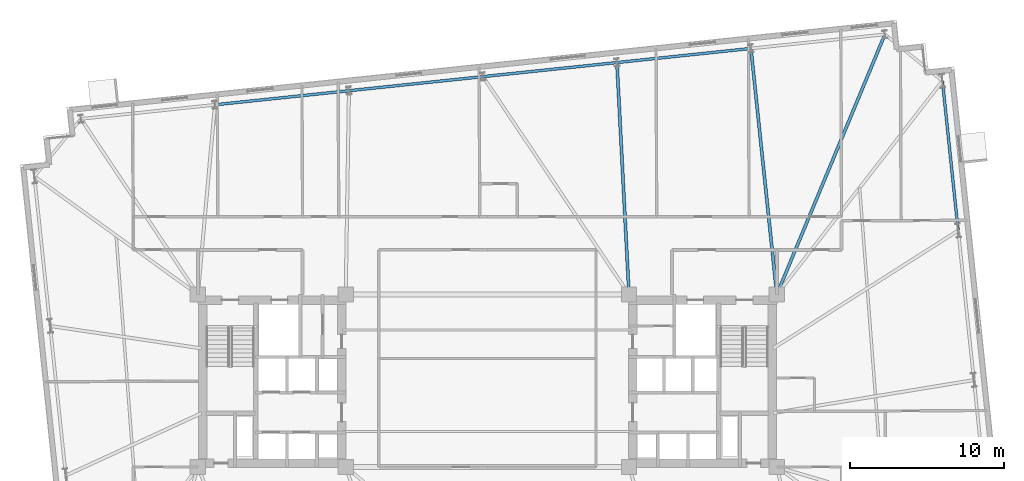
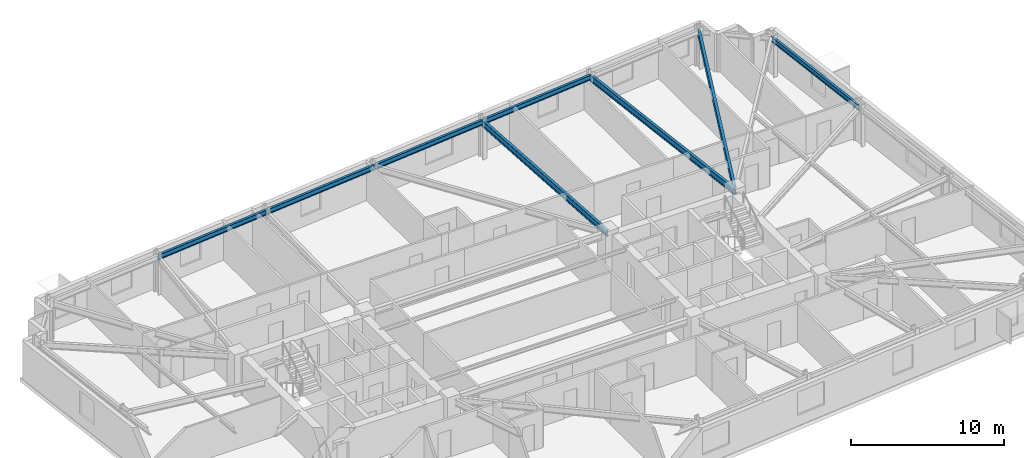
# One storey, part 9 of 18: 8 beams.
"""IFC4 building model written with IfcOpenShell, lengths in metres."""

from ifc_helpers import new_model, si_unit, direction, frame, origin, origin_2d, place, context, subcontext, project, spatial, i_section, extrude, material, material_profile, profile_set, type_object, element, save


model = new_model("IFC4")

# Units and contexts
model_context = context("Model", 3, precision=1e-05, world=origin(), true_north=direction((0.0, 1.0)))
body_context = subcontext(model_context, "Body", "Model", "MODEL_VIEW")
ifc_project = project(units=[si_unit("LENGTHUNIT", "METRE"), si_unit("AREAUNIT", "SQUARE_METRE"), si_unit("VOLUMEUNIT", "CUBIC_METRE"), si_unit("PLANEANGLEUNIT", "RADIAN"), si_unit("MASSUNIT", "GRAM", prefix="KILO")], contexts=[model_context])

# Site, building, storey
site_placement = place(None, origin())
site = spatial("IfcSite", under=ifc_project, at=site_placement, CompositionType="ELEMENT")
building_placement = place(site_placement, origin())
building = spatial("IfcBuilding", under=site, at=building_placement, Name="Qobustan Lattice House", CompositionType="ELEMENT")
storey_placement = place(building_placement, frame((0.0, 0.0, 92.39990234375)))
storey = spatial("IfcBuildingStorey", under=building, at=storey_placement, Name="L25", CompositionType="ELEMENT", Elevation=92.39990234375)

# Beams
ifc_material_1 = material(Name="Steel S355", Category="steel")
ifc_material_profile_1 = material_profile(ifc_material_1, i_section(OverallWidth=0.199951171875, OverallDepth=0.5, WebThickness=0.01025390625, FlangeThickness=0.01611328125, FilletRadius=0.02099609375, at=origin_2d()), Name="IPE500")
ifc_profile_set_1 = profile_set([ifc_material_profile_1], Name="Steel S355")
beam_type_1 = type_object("IfcBeamType", Name="BM-FLG-IPE500", PredefinedType="USERDEFINED", material=ifc_profile_set_1)
beam_1_placement = place(storey_placement, frame((8.41650390625, 20.640625, 2.795166015625), z_axis=(0.052023629628, -0.998645854125, 0.0), x_axis=(0.998645854125, 0.052023629628, 0.0)))
element("IfcBeam", 1, at=beam_1_placement, inside=storey, type_object=beam_type_1, Name="L25 primary floor girder RAD-N3", ObjectType="GIRDER", PredefinedType="USERDEFINED", context=body_context, shape_type="SweptSolid", body=[
    extrude(i_section(OverallWidth=0.199951171875, OverallDepth=0.5, WebThickness=0.01025390625, FlangeThickness=0.01611328125, FilletRadius=0.02099609375, at=origin_2d()), origin(), (0.0, 0.0, 1.0), 15.035888671875),
])
beam_2_placement = place(storey_placement, frame((17.1201171875, 21.555419921875, 2.795166015625), z_axis=(0.104706999053, -0.994503114298, 0.0), x_axis=(0.994503114298, 0.104706999053, 0.0)))
element("IfcBeam", 2, at=beam_2_placement, inside=storey, type_object=beam_type_1, Name="L25 primary floor girder RAD-N2", ObjectType="GIRDER", PredefinedType="USERDEFINED", context=body_context, shape_type="SweptSolid", body=[
    extrude(i_section(OverallWidth=0.199951171875, OverallDepth=0.5, WebThickness=0.01025390625, FlangeThickness=0.01611328125, FilletRadius=0.02099609375, at=origin_2d()), origin(), (0.0, 0.0, 1.0), 16.0185546875),
])
beam_3_placement = place(storey_placement, frame((25.809814453125, 22.471923828125, 2.795166015625), z_axis=(-0.383675501465, -0.923467979724, 0.0), x_axis=(0.923467979724, -0.383675501465, 0.0)))
element("IfcBeam", 3, at=beam_3_placement, inside=storey, type_object=beam_type_1, Name="L25 primary floor girder RAD-N1E", ObjectType="GIRDER", PredefinedType="USERDEFINED", context=body_context, shape_type="SweptSolid", body=[
    extrude(i_section(OverallWidth=0.199951171875, OverallDepth=0.5, WebThickness=0.01025390625, FlangeThickness=0.01611328125, FilletRadius=0.02099609375, at=origin_2d()), origin(), (0.0, 0.0, 1.0), 18.2451171875),
])
ifc_material_2 = material(Name="Steel S355", Category="steel")
ifc_material_profile_2 = material_profile(ifc_material_2, i_section(OverallWidth=0.179931640625, OverallDepth=0.39990234375, WebThickness=0.008544921875, FlangeThickness=0.013427734375, FilletRadius=0.02099609375, at=origin_2d()), Name="IPE400")
ifc_profile_set_2 = profile_set([ifc_material_profile_2], Name="Steel S355")
beam_type_2 = type_object("IfcBeamType", Name="BM-SPD-IPE400", PredefinedType="SPANDREL", material=ifc_profile_set_2)
beam_4_placement = place(storey_placement, frame((30.574462890625, 9.78076171875, 2.84521484375), z_axis=(-0.104525214252, 0.994522236848, 0.0), x_axis=(-0.994522236848, -0.104525214252, 0.0)))
element("IfcBeam", 4, at=beam_4_placement, inside=storey, type_object=beam_type_2, Name="L25 perimeter spandrel E3-E4", PredefinedType="SPANDREL", context=body_context, shape_type="SweptSolid", body=[
    extrude(i_section(OverallWidth=0.179931640625, OverallDepth=0.39990234375, WebThickness=0.008544921875, FlangeThickness=0.013427734375, FilletRadius=0.02099609375, at=origin_2d()), origin(), (0.0, 0.0, 1.0), 9.716552734375),
])
beam_5_placement = place(storey_placement, frame((17.092529296875, 21.577880859375, 2.84521484375), z_axis=(-0.994518668742, -0.104559158006, 0.0), x_axis=(0.104559158006, -0.994518668742, 0.0)))
element("IfcBeam", 5, at=beam_5_placement, inside=storey, type_object=beam_type_2, Name="L25 perimeter spandrel N2-N3", PredefinedType="SPANDREL", context=body_context, shape_type="SweptSolid", body=[
    extrude(i_section(OverallWidth=0.179931640625, OverallDepth=0.39990234375, WebThickness=0.008544921875, FlangeThickness=0.013427734375, FilletRadius=0.02099609375, at=origin_2d()), origin(), (0.0, 0.0, 1.0), 8.699951171875),
])
beam_6_placement = place(storey_placement, frame((8.390380859375, 20.6630859375, 2.84521484375), z_axis=(-0.994521279781, -0.10453432002, 0.0), x_axis=(0.10453432002, -0.994521279781, 0.0)))
element("IfcBeam", 6, at=beam_6_placement, inside=storey, type_object=beam_type_2, Name="L25 perimeter spandrel N3-N4", PredefinedType="SPANDREL", context=body_context, shape_type="SweptSolid", body=[
    extrude(i_section(OverallWidth=0.179931640625, OverallDepth=0.39990234375, WebThickness=0.008544921875, FlangeThickness=0.013427734375, FilletRadius=0.02099609375, at=origin_2d()), origin(), (0.0, 0.0, 1.0), 8.69970703125),
])
for number, where, z_axis, x_axis, name in (
    (7, (-0.3115234375, 19.74853515625, 2.84521484375), (-0.994521586424, -0.104531402636, 0.0), (0.104531402636, -0.994521586424, 0.0), "L25 perimeter spandrel N4-N5"),
    (8, (-9.013671875, 18.833984375, 2.84521484375), (-0.994521586424, -0.104531402636, 0.0), (0.104531402636, -0.994521586424, 0.0), "L25 perimeter spandrel N5-N6"),
):
    element("IfcBeam", number, at=place(storey_placement, frame(where, z_axis=z_axis, x_axis=x_axis)), inside=storey, type_object=beam_type_2, Name=name, PredefinedType="SPANDREL", context=body_context, shape_type="SweptSolid", body=[
        extrude(i_section(OverallWidth=0.179931640625, OverallDepth=0.39990234375, WebThickness=0.008544921875, FlangeThickness=0.013427734375, FilletRadius=0.02099609375, at=origin_2d()), origin(), (0.0, 0.0, 1.0), 8.699951171875),
    ])

save(model, "model.ifc")
